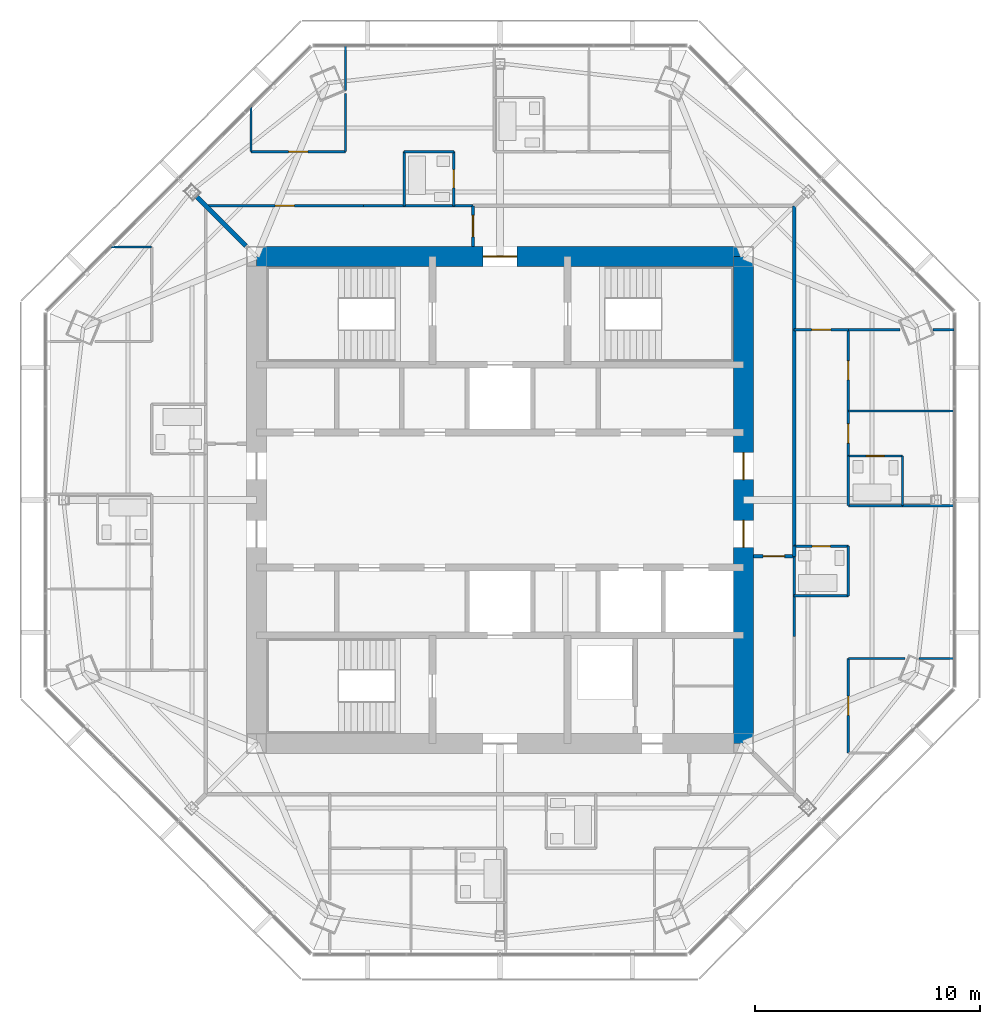
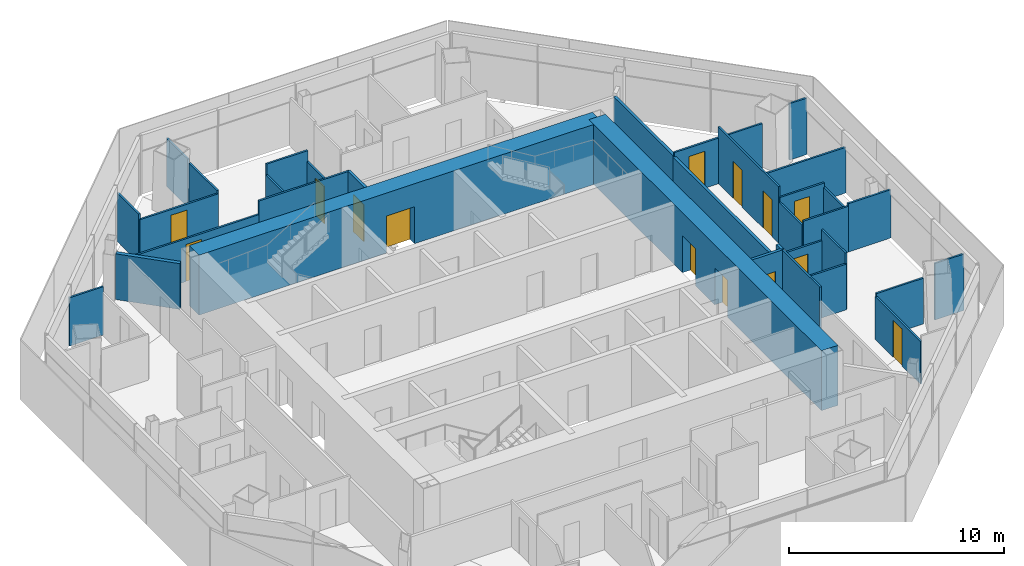
# One storey, part 12 of 15: 35 walls, 14 doors, 14 openings.
"""IFC4 building model written with IfcOpenShell, lengths in metres."""

from ifc_helpers import new_model, si_unit, direction, frame, frame_2d, origin, place, context, subcontext, project, spatial, rectangle, extrude, material, layer, layer_set, type_object, element, fill, save


model = new_model("IFC4")

# Units and contexts
model_context = context("Model", 3, precision=1e-05, world=origin(), true_north=direction((0.0, 1.0)))
body_context = subcontext(model_context, "Body", "Model", "MODEL_VIEW")
ifc_project = project(units=[si_unit("LENGTHUNIT", "METRE"), si_unit("AREAUNIT", "SQUARE_METRE"), si_unit("VOLUMEUNIT", "CUBIC_METRE"), si_unit("PLANEANGLEUNIT", "RADIAN"), si_unit("MASSUNIT", "GRAM", prefix="KILO")], contexts=[model_context])

# Site, building, storey
site_placement = place(None, origin())
site = spatial("IfcSite", under=ifc_project, at=site_placement, CompositionType="ELEMENT")
building_placement = place(site_placement, origin())
building = spatial("IfcBuilding", under=site, at=building_placement, Name="Mashrafa Tower", CompositionType="ELEMENT")
storey_placement = place(building_placement, frame((0.0, 0.0, 277.60009765625)))
storey = spatial("IfcBuildingStorey", under=building, at=storey_placement, Name="L67", CompositionType="ELEMENT", Elevation=277.60009765625)

# Wall
ifc_material_1 = material(Name="Gypsum board on steel studs", Category="steel")
ifc_layer_1 = layer(ifc_material_1, 0.199951171875)
ifc_layer_set_1 = layer_set([ifc_layer_1], Name="Acoustic partition 200 1 hr")
wall_type_1 = type_object("IfcWallType", Name="Acoustic partition 200 1 hr", PredefinedType="PARTITIONING", material=ifc_layer_set_1)
wall_1_placement = place(storey_placement, frame((-13.4501953125, 13.4501953125, 0.0), z_axis=(0.0, 0.0, 1.0), x_axis=(0.707106781187, -0.707106781187, 0.0)))
element("IfcWall", 1, at=wall_1_placement, inside=storey, type_object=wall_type_1, Name="Acoustic wall L67-069", PredefinedType="PARTITIONING", context=body_context, shape_type="SweptSolid", body=[
    extrude(rectangle(XDim=3.084716796875, YDim=0.199951171875, at=frame_2d((1.54248046875, 0.0))), origin(), (0.0, 0.0, 1.0), 2.590576171875),
])

# Wall, openings, doors
ifc_material_2 = material(Name="Concrete C50/60", Category="concrete")
ifc_layer_2 = layer(ifc_material_2, 0.89990234375)
ifc_layer_set_2 = layer_set([ifc_layer_2], Name="Core wall 900 C50/60")
wall_type_2 = type_object("IfcWallType", Name="Core wall 900 C50/60", PredefinedType="SOLIDWALL", material=ifc_layer_set_2)
wall_2_placement = place(storey_placement, frame((10.800048828125, -10.800048828125, 0.0), z_axis=(0.0, 0.0, 1.0), x_axis=(0.0, 1.0, 0.0)))
wall_2 = element("IfcWall", 2, at=wall_2_placement, inside=storey, type_object=wall_type_2, Name="Core wall CW-E L67", PredefinedType="SOLIDWALL", context=body_context, shape_type="SweptSolid", body=[
    extrude(rectangle(XDim=21.60009765625, YDim=0.89990234375, at=frame_2d((10.800048828125, 0.0))), origin(), (0.0, 0.0, 1.0), 3.39990234375),
])
opening_1_placement = place(wall_2_placement, frame((11.699951171875, 0.0, 0.0)))
opening_1 = element("IfcOpeningElement", 3, at=opening_1_placement, cuts=wall_2, Name="Opening 67.033", PredefinedType="OPENING", context=body_context, shape_type="SweptSolid", body=[
    extrude(rectangle(XDim=1.199951171875, YDim=2.10009765625, at=frame_2d((0.60009765625, 1.050048828125))), frame((0.0, 0.4599609375, 0.0), z_axis=(0.0, -1.0, 0.0), x_axis=(1.0, 0.0, 0.0)), (0.0, 0.0, 1.0), 0.919921875),
])
opening_2_placement = place(wall_2_placement, frame((8.699951171875, 0.0, 0.0)))
opening_2 = element("IfcOpeningElement", 4, at=opening_2_placement, cuts=wall_2, Name="Opening 67.035", PredefinedType="OPENING", context=body_context, shape_type="SweptSolid", body=[
    extrude(rectangle(XDim=1.199951171875, YDim=2.10009765625, at=frame_2d((0.60009765625, 1.050048828125))), frame((0.0, 0.4599609375, 0.0), z_axis=(0.0, -1.0, 0.0), x_axis=(1.0, 0.0, 0.0)), (0.0, 0.0, 1.0), 0.919921875),
])
ifc_material_3 = material(Name="Steel door", Category="steel")
door_type_1 = type_object("IfcDoorType", Name="Lift hall door 1200 x 2100 90 min", OperationType="USERDEFINED", PredefinedType="DOOR", material=ifc_material_3)
door_1_placement = place(opening_1_placement, frame((1.199951171875, 0.0, 0.0), z_axis=(0.0, 0.0, 1.0), x_axis=(-1.0, 0.0, 0.0)))
door_1 = element("IfcDoor", 5, at=door_1_placement, inside=storey, type_object=door_type_1, Name="Lift hall door east L67", OperationType="SINGLE_SWING_RIGHT", OverallHeight=2.10009765625, OverallWidth=1.199951171875, PredefinedType="DOOR", context=body_context, shape_type="SweptSolid", body=[
    extrude(rectangle(XDim=1.199951171875, YDim=2.10009765625, at=frame_2d((0.60009765625, 1.050048828125))), frame((0.0, 0.02490234375, 0.0), z_axis=(0.0, -1.0, 0.0), x_axis=(1.0, 0.0, 0.0)), (0.0, 0.0, 1.0), 0.050048828125),
])
fill(opening_1, door_1)
door_2_placement = place(opening_2_placement, origin())
door_2 = element("IfcDoor", 6, at=door_2_placement, inside=storey, type_object=door_type_1, Name="Lift hall door east L67", OperationType="SINGLE_SWING_LEFT", OverallHeight=2.10009765625, OverallWidth=1.199951171875, PredefinedType="DOOR", context=body_context, shape_type="SweptSolid", body=[
    extrude(rectangle(XDim=1.199951171875, YDim=2.10009765625, at=frame_2d((0.60009765625, 1.050048828125))), frame((0.0, 0.02490234375, 0.0), z_axis=(0.0, -1.0, 0.0), x_axis=(1.0, 0.0, 0.0)), (0.0, 0.0, 1.0), 0.050048828125),
])
fill(opening_2, door_2)

# Wall, opening, door
wall_3_placement = place(storey_placement, frame((10.800048828125, 10.800048828125, 0.0), z_axis=(0.0, 0.0, 1.0), x_axis=(-1.0, 0.0, 0.0)))
wall_3 = element("IfcWall", 7, at=wall_3_placement, inside=storey, type_object=wall_type_2, Name="Core wall CW-N L67", PredefinedType="SOLIDWALL", context=body_context, shape_type="SweptSolid", body=[
    extrude(rectangle(XDim=21.60009765625, YDim=0.89990234375, at=frame_2d((10.800048828125, 0.0))), origin(), (0.0, 0.0, 1.0), 3.39990234375),
])
opening_3_placement = place(wall_3_placement, frame((10.050048828125, 0.0, 0.0)))
opening_3 = element("IfcOpeningElement", 8, at=opening_3_placement, cuts=wall_3, Name="Opening 67.037", PredefinedType="OPENING", context=body_context, shape_type="SweptSolid", body=[
    extrude(rectangle(XDim=1.5, YDim=2.10009765625, at=frame_2d((0.75, 1.050048828125))), frame((0.0, 0.4599609375, 0.0), z_axis=(0.0, -1.0, 0.0), x_axis=(1.0, 0.0, 0.0)), (0.0, 0.0, 1.0), 0.919921875),
])
ifc_material_4 = material(Name="Steel door", Category="steel")
door_type_2 = type_object("IfcDoorType", Name="Lobby door pair 1500 x 2100 90 min", OperationType="DOUBLE_DOOR_SINGLE_SWING", PredefinedType="DOOR", material=ifc_material_4)
door_3_placement = place(opening_3_placement, origin())
door_3 = element("IfcDoor", 9, at=door_3_placement, inside=storey, type_object=door_type_2, Name="Fire-fighting lobby F1 door L67", OperationType="DOUBLE_DOOR_SINGLE_SWING", OverallHeight=2.10009765625, OverallWidth=1.5, PredefinedType="DOOR", context=body_context, shape_type="SweptSolid", body=[
    extrude(rectangle(XDim=1.5, YDim=2.10009765625, at=frame_2d((0.75, 1.050048828125))), frame((0.0, 0.02490234375, 0.0), z_axis=(0.0, -1.0, 0.0), x_axis=(1.0, 0.0, 0.0)), (0.0, 0.0, 1.0), 0.050048828125),
])
fill(opening_3, door_3)

# Walls
ifc_material_5 = material(Name="Gypsum board on steel studs", Category="steel")
ifc_layer_3 = layer(ifc_material_5, 0.14990234375)
ifc_layer_set_3 = layer_set([ifc_layer_3], Name="Corridor partition 150 1 hr")
wall_type_3 = type_object("IfcWallType", Name="Corridor partition 150 1 hr", PredefinedType="PARTITIONING", material=ifc_layer_set_3)
wall_4_placement = place(storey_placement, frame((13.050048828125, -2.5, 0.0), z_axis=(0.0, 0.0, 1.0), x_axis=(0.0, 1.0, 0.0)))
element("IfcWall", 10, at=wall_4_placement, inside=storey, type_object=wall_type_3, Name="Corridor wall L67-001", PredefinedType="PARTITIONING", context=body_context, shape_type="SweptSolid", body=[
    extrude(rectangle(XDim=0.450927734375, YDim=0.14990234375, at=frame_2d((0.2255859375, 0.0))), origin(), (0.0, 0.0, 1.0), 3.199951171875),
])
wall_5_placement = place(storey_placement, frame((13.050048828125, 7.549072265625, 0.0), z_axis=(0.0, 0.0, 1.0), x_axis=(0.0, 1.0, 0.0)))
element("IfcWall", 11, at=wall_5_placement, inside=storey, type_object=wall_type_3, Name="Corridor wall L67-002", PredefinedType="PARTITIONING", context=body_context, shape_type="SweptSolid", body=[
    extrude(rectangle(XDim=5.5009765625, YDim=0.14990234375, at=frame_2d((2.75048828125, 0.0))), origin(), (0.0, 0.0, 1.0), 2.427978515625),
])
wall_6_placement = place(storey_placement, frame((13.050048828125, -2.051025390625, 0.0), z_axis=(0.0, 0.0, 1.0), x_axis=(0.0, 1.0, 0.0)))
element("IfcWall", 12, at=wall_6_placement, inside=storey, type_object=wall_type_3, Name="Corridor wall L67-003", PredefinedType="PARTITIONING", context=body_context, shape_type="SweptSolid", body=[
    extrude(rectangle(XDim=9.60205078125, YDim=0.14990234375, at=frame_2d((4.801025390625, 0.0))), origin(), (0.0, 0.0, 1.0), 2.343994140625),
])

# Wall, opening, door
wall_7_placement = place(storey_placement, frame((11.25, -2.5, 0.0), z_axis=(0.0, 0.0, 1.0), x_axis=(1.0, 0.0, 0.0)))
wall_7 = element("IfcWall", 13, at=wall_7_placement, inside=storey, type_object=wall_type_3, Name="Corridor wall L67-006", PredefinedType="PARTITIONING", context=body_context, shape_type="SweptSolid", body=[
    extrude(rectangle(XDim=1.800048828125, YDim=0.14990234375, at=frame_2d((0.89990234375, 0.0))), origin(), (0.0, 0.0, 1.0), 3.199951171875),
])
opening_4_placement = place(wall_7_placement, frame((0.425048828125, 0.0, 0.0)))
opening_4 = element("IfcOpeningElement", 14, at=opening_4_placement, cuts=wall_7, Name="Opening 67.029", PredefinedType="OPENING", context=body_context, shape_type="SweptSolid", body=[
    extrude(rectangle(XDim=0.949951171875, YDim=2.10009765625, at=frame_2d((0.47509765625, 1.050048828125))), frame((0.0, 0.0849609375, 0.0), z_axis=(0.0, -1.0, 0.0), x_axis=(1.0, 0.0, 0.0)), (0.0, 0.0, 1.0), 0.169921875),
])
ifc_material_6 = material(Name="Steel door", Category="steel")
door_type_3 = type_object("IfcDoorType", Name="Residence entrance door 950 x 2100 20 min", OperationType="USERDEFINED", PredefinedType="DOOR", material=ifc_material_6)
door_4_placement = place(opening_4_placement, origin())
door_4 = element("IfcDoor", 15, at=door_4_placement, inside=storey, type_object=door_type_3, Name="Apartment 6701 Entrance Hall door", OperationType="SINGLE_SWING_RIGHT", OverallHeight=2.10009765625, OverallWidth=0.949951171875, PredefinedType="DOOR", context=body_context, shape_type="SweptSolid", body=[
    extrude(rectangle(XDim=0.949951171875, YDim=2.10009765625, at=frame_2d((0.47509765625, 1.050048828125))), frame((0.0, 0.02490234375, 0.0), z_axis=(0.0, -1.0, 0.0), x_axis=(1.0, 0.0, 0.0)), (0.0, 0.0, 1.0), 0.050048828125),
])
fill(opening_4, door_4)

wall_8_placement = place(storey_placement, frame((-1.199951171875, 13.050048828125, 0.0), z_axis=(0.0, 0.0, 1.0), x_axis=(0.0, -1.0, 0.0)))
wall_8 = element("IfcWall", 16, at=wall_8_placement, inside=storey, type_object=wall_type_3, Name="Corridor wall L67-007", PredefinedType="PARTITIONING", context=body_context, shape_type="SweptSolid", body=[
    extrude(rectangle(XDim=1.800048828125, YDim=0.14990234375, at=frame_2d((0.89990234375, 0.0))), origin(), (0.0, 0.0, 1.0), 3.199951171875),
])
opening_5_placement = place(wall_8_placement, frame((0.425048828125, 0.0, 0.0)))
opening_5 = element("IfcOpeningElement", 17, at=opening_5_placement, cuts=wall_8, Name="Opening 67.031", PredefinedType="OPENING", context=body_context, shape_type="SweptSolid", body=[
    extrude(rectangle(XDim=0.949951171875, YDim=2.10009765625, at=frame_2d((0.47509765625, 1.050048828125))), frame((0.0, 0.0849609375, 0.0), z_axis=(0.0, -1.0, 0.0), x_axis=(1.0, 0.0, 0.0)), (0.0, 0.0, 1.0), 0.169921875),
])
door_5_placement = place(opening_5_placement, origin())
door_5 = element("IfcDoor", 18, at=door_5_placement, inside=storey, type_object=door_type_3, Name="Apartment 6702 Entrance Hall door", OperationType="SINGLE_SWING_LEFT", OverallHeight=2.10009765625, OverallWidth=0.949951171875, PredefinedType="DOOR", context=body_context, shape_type="SweptSolid", body=[
    extrude(rectangle(XDim=0.949951171875, YDim=2.10009765625, at=frame_2d((0.47509765625, 1.050048828125))), frame((0.0, 0.02490234375, 0.0), z_axis=(0.0, -1.0, 0.0), x_axis=(1.0, 0.0, 0.0)), (0.0, 0.0, 1.0), 0.050048828125),
])
fill(opening_5, door_5)

# Walls
ifc_material_7 = material(Name="Gypsum board on steel studs", Category="steel")
ifc_layer_4 = layer(ifc_material_7, 0.10009765625)
ifc_layer_set_4 = layer_set([ifc_layer_4], Name="Partition 100")
wall_type_4 = type_object("IfcWallType", Name="Partition 100", PredefinedType="PARTITIONING", material=ifc_layer_set_4)
wall_9_placement = place(storey_placement, frame((20.143798828125, -7.026611328125, 0.0), z_axis=(0.0, 0.0, 1.0), x_axis=(-1.0, 0.0, 0.0)))
element("IfcWall", 19, at=wall_9_placement, inside=storey, type_object=wall_type_4, Name="Partition wall L67-018", PredefinedType="PARTITIONING", context=body_context, shape_type="SweptSolid", body=[
    extrude(rectangle(XDim=1.562255859375, YDim=0.10009765625, at=frame_2d((0.78125, 0.0))), origin(), (0.0, 0.0, 1.0), 3.199951171875),
])
wall_10_placement = place(storey_placement, frame((17.961181640625, -7.026611328125, 0.0), z_axis=(0.0, 0.0, 1.0), x_axis=(-1.0, 0.0, 0.0)))
element("IfcWall", 20, at=wall_10_placement, inside=storey, type_object=wall_type_4, Name="Partition wall L67-019", PredefinedType="PARTITIONING", context=body_context, shape_type="SweptSolid", body=[
    extrude(rectangle(XDim=2.51123046875, YDim=0.10009765625, at=frame_2d((1.255615234375, 0.0))), origin(), (0.0, 0.0, 1.0), 2.590576171875),
])

# Wall, opening, door
wall_11_placement = place(storey_placement, frame((15.449951171875, -7.026611328125, 0.0), z_axis=(0.0, 0.0, 1.0), x_axis=(0.0, -1.0, 0.0)))
wall_11 = element("IfcWall", 21, at=wall_11_placement, inside=storey, type_object=wall_type_4, Name="Partition wall L67-020", PredefinedType="PARTITIONING", context=body_context, shape_type="SweptSolid", body=[
    extrude(rectangle(XDim=4.2001953125, YDim=0.10009765625, at=frame_2d((2.10009765625, 0.0))), origin(), (0.0, 0.0, 1.0), 2.427978515625),
])
opening_6_placement = place(wall_11_placement, frame((1.675048828125, 0.0, 0.0)))
opening_6 = element("IfcOpeningElement", 22, at=opening_6_placement, cuts=wall_11, Name="Opening 67.001", PredefinedType="OPENING", context=body_context, shape_type="SweptSolid", body=[
    extrude(rectangle(XDim=0.85009765625, YDim=2.10009765625, at=frame_2d((0.425048828125, 1.050048828125))), frame((0.0, 0.06005859375, 0.0), z_axis=(0.0, -1.0, 0.0), x_axis=(1.0, 0.0, 0.0)), (0.0, 0.0, 1.0), 0.1201171875),
])
ifc_material_8 = material(Name="Timber door", Category="wood")
door_type_4 = type_object("IfcDoorType", Name="Bedroom door 850 x 2100", OperationType="USERDEFINED", PredefinedType="DOOR", material=ifc_material_8)
door_6_placement = place(opening_6_placement, origin())
door_6 = element("IfcDoor", 23, at=door_6_placement, inside=storey, type_object=door_type_4, Name="Apartment 6701 Dining Room door", OperationType="SINGLE_SWING_RIGHT", OverallHeight=2.10009765625, OverallWidth=0.85009765625, PredefinedType="DOOR", context=body_context, shape_type="SweptSolid", body=[
    extrude(rectangle(XDim=0.85009765625, YDim=2.10009765625, at=frame_2d((0.425048828125, 1.050048828125))), frame((0.0, 0.02490234375, 0.0), z_axis=(0.0, -1.0, 0.0), x_axis=(1.0, 0.0, 0.0)), (0.0, 0.0, 1.0), 0.050048828125),
])
fill(opening_6, door_6)

# Wall
wall_12_placement = place(storey_placement, frame((-11.050048828125, 17.439208984375, 0.0), z_axis=(0.0, 0.0, 1.0), x_axis=(0.0, -1.0, 0.0)))
element("IfcWall", 24, at=wall_12_placement, inside=storey, type_object=wall_type_4, Name="Partition wall L67-022", PredefinedType="PARTITIONING", context=body_context, shape_type="SweptSolid", body=[
    extrude(rectangle(XDim=1.9892578125, YDim=0.10009765625, at=frame_2d((0.99462890625, 0.0))), origin(), (0.0, 0.0, 1.0), 2.740234375),
])

# Wall, opening, door
wall_13_placement = place(storey_placement, frame((-11.050048828125, 15.449951171875, 0.0), z_axis=(0.0, 0.0, 1.0), x_axis=(1.0, 0.0, 0.0)))
wall_13 = element("IfcWall", 25, at=wall_13_placement, inside=storey, type_object=wall_type_4, Name="Partition wall L67-023", PredefinedType="PARTITIONING", context=body_context, shape_type="SweptSolid", body=[
    extrude(rectangle(XDim=4.199951171875, YDim=0.10009765625, at=frame_2d((2.10009765625, 0.0))), origin(), (0.0, 0.0, 1.0), 2.427978515625),
])
opening_7_placement = place(wall_13_placement, frame((1.675048828125, 0.0, 0.0)))
opening_7 = element("IfcOpeningElement", 26, at=opening_7_placement, cuts=wall_13, Name="Opening 67.002", PredefinedType="OPENING", context=body_context, shape_type="SweptSolid", body=[
    extrude(rectangle(XDim=0.85009765625, YDim=2.10009765625, at=frame_2d((0.425048828125, 1.050048828125))), frame((0.0, 0.06005859375, 0.0), z_axis=(0.0, -1.0, 0.0), x_axis=(1.0, 0.0, 0.0)), (0.0, 0.0, 1.0), 0.1201171875),
])
door_7_placement = place(opening_7_placement, origin())
door_7 = element("IfcDoor", 27, at=door_7_placement, inside=storey, type_object=door_type_4, Name="Apartment 6702 Dining Room door", OperationType="SINGLE_SWING_LEFT", OverallHeight=2.10009765625, OverallWidth=0.85009765625, PredefinedType="DOOR", context=body_context, shape_type="SweptSolid", body=[
    extrude(rectangle(XDim=0.85009765625, YDim=2.10009765625, at=frame_2d((0.425048828125, 1.050048828125))), frame((0.0, 0.02490234375, 0.0), z_axis=(0.0, -1.0, 0.0), x_axis=(1.0, 0.0, 0.0)), (0.0, 0.0, 1.0), 0.050048828125),
])
fill(opening_7, door_7)

# Walls
wall_14_placement = place(storey_placement, frame((-6.85009765625, 15.449951171875, 0.0), z_axis=(0.0, 0.0, 1.0), x_axis=(0.0, 1.0, 0.0)))
element("IfcWall", 28, at=wall_14_placement, inside=storey, type_object=wall_type_4, Name="Partition wall L67-024", PredefinedType="PARTITIONING", context=body_context, shape_type="SweptSolid", body=[
    extrude(rectangle(XDim=2.58447265625, YDim=0.10009765625, at=frame_2d((1.292236328125, 0.0))), origin(), (0.0, 0.0, 1.0), 2.590576171875),
])
wall_15_placement = place(storey_placement, frame((-6.85009765625, 18.15478515625, 0.0), z_axis=(0.0, 0.0, 1.0), x_axis=(0.0, 1.0, 0.0)))
element("IfcWall", 29, at=wall_15_placement, inside=storey, type_object=wall_type_4, Name="Partition wall L67-025", PredefinedType="PARTITIONING", context=body_context, shape_type="SweptSolid", body=[
    extrude(rectangle(XDim=1.989013671875, YDim=0.10009765625, at=frame_2d((0.99462890625, 0.0))), origin(), (0.0, 0.0, 1.0), 2.740234375),
])
wall_16_placement = place(storey_placement, frame((-15.449951171875, 11.226806640625, 0.0), z_axis=(0.0, 0.0, 1.0), x_axis=(-1.0, 0.0, 0.0)))
element("IfcWall", 30, at=wall_16_placement, inside=storey, type_object=wall_type_4, Name="Partition wall L67-029", PredefinedType="PARTITIONING", context=body_context, shape_type="SweptSolid", body=[
    extrude(rectangle(XDim=1.812744140625, YDim=0.10009765625, at=frame_2d((0.90625, 0.0))), origin(), (0.0, 0.0, 1.0), 2.740234375),
])
wall_17_placement = place(storey_placement, frame((15.449951171875, -4.25, 0.0), z_axis=(0.0, 0.0, 1.0), x_axis=(-1.0, 0.0, 0.0)))
element("IfcWall", 31, at=wall_17_placement, inside=storey, type_object=wall_type_4, Name="Partition wall L67-034", PredefinedType="PARTITIONING", context=body_context, shape_type="SweptSolid", body=[
    extrude(rectangle(XDim=2.39990234375, YDim=0.10009765625, at=frame_2d((1.199951171875, 0.0))), origin(), (0.0, 0.0, 1.0), 2.590576171875),
])
wall_18_placement = place(storey_placement, frame((13.050048828125, -6.050048828125, 0.0), z_axis=(0.0, 0.0, 1.0), x_axis=(0.0, 1.0, 0.0)))
element("IfcWall", 32, at=wall_18_placement, inside=storey, type_object=wall_type_4, Name="Partition wall L67-035", PredefinedType="PARTITIONING", context=body_context, shape_type="SweptSolid", body=[
    extrude(rectangle(XDim=3.551025390625, YDim=0.10009765625, at=frame_2d((1.775390625, 0.0))), origin(), (0.0, 0.0, 1.0), 3.199951171875),
])
wall_19_placement = place(storey_placement, frame((15.449951171875, -4.25, 0.0), z_axis=(0.0, 0.0, 1.0), x_axis=(0.0, 1.0, 0.0)))
element("IfcWall", 33, at=wall_19_placement, inside=storey, type_object=wall_type_4, Name="Partition wall L67-036", PredefinedType="PARTITIONING", context=body_context, shape_type="SweptSolid", body=[
    extrude(rectangle(XDim=2.199951171875, YDim=0.10009765625, at=frame_2d((1.10009765625, 0.0))), origin(), (0.0, 0.0, 1.0), 3.199951171875),
])

# Wall, opening, door
wall_20_placement = place(storey_placement, frame((15.449951171875, -2.050048828125, 0.0), z_axis=(0.0, 0.0, 1.0), x_axis=(-1.0, 0.0, 0.0)))
wall_20 = element("IfcWall", 34, at=wall_20_placement, inside=storey, type_object=wall_type_4, Name="Partition wall L67-037", PredefinedType="PARTITIONING", context=body_context, shape_type="SweptSolid", body=[
    extrude(rectangle(XDim=2.39990234375, YDim=0.10009765625, at=frame_2d((1.199951171875, 0.0))), origin(), (0.0, 0.0, 1.0), 2.590576171875),
])
opening_8_placement = place(wall_20_placement, frame((0.800048828125, 0.0, 0.0)))
opening_8 = element("IfcOpeningElement", 35, at=opening_8_placement, cuts=wall_20, Name="Opening 67.005", PredefinedType="OPENING", context=body_context, shape_type="SweptSolid", body=[
    extrude(rectangle(XDim=0.800048828125, YDim=2.10009765625, at=frame_2d((0.39990234375, 1.050048828125))), frame((0.0, 0.06005859375, 0.0), z_axis=(0.0, -1.0, 0.0), x_axis=(1.0, 0.0, 0.0)), (0.0, 0.0, 1.0), 0.1201171875),
])
ifc_material_9 = material(Name="Timber door", Category="wood")
door_type_5 = type_object("IfcDoorType", Name="Bathroom door 800 x 2100", OperationType="USERDEFINED", PredefinedType="DOOR", material=ifc_material_9)
door_8_placement = place(opening_8_placement, origin())
door_8 = element("IfcDoor", 36, at=door_8_placement, inside=storey, type_object=door_type_5, Name="Apartment 6701 Bathroom door", OperationType="SINGLE_SWING_RIGHT", OverallHeight=2.10009765625, OverallWidth=0.800048828125, PredefinedType="DOOR", context=body_context, shape_type="SweptSolid", body=[
    extrude(rectangle(XDim=0.800048828125, YDim=2.10009765625, at=frame_2d((0.39990234375, 1.050048828125))), frame((0.0, 0.02490234375, 0.0), z_axis=(0.0, -1.0, 0.0), x_axis=(1.0, 0.0, 0.0)), (0.0, 0.0, 1.0), 0.050048828125),
])
fill(opening_8, door_8)

# Wall
wall_21_placement = place(storey_placement, frame((17.85009765625, -0.25, 0.0), z_axis=(0.0, 0.0, 1.0), x_axis=(0.0, 1.0, 0.0)))
element("IfcWall", 37, at=wall_21_placement, inside=storey, type_object=wall_type_4, Name="Partition wall L67-039", PredefinedType="PARTITIONING", context=body_context, shape_type="SweptSolid", body=[
    extrude(rectangle(XDim=2.199951171875, YDim=0.10009765625, at=frame_2d((1.10009765625, 0.0))), origin(), (0.0, 0.0, 1.0), 2.343994140625),
])

# Wall, opening, door
wall_22_placement = place(storey_placement, frame((17.85009765625, 1.949951171875, 0.0), z_axis=(0.0, 0.0, 1.0), x_axis=(-1.0, 0.0, 0.0)))
wall_22 = element("IfcWall", 38, at=wall_22_placement, inside=storey, type_object=wall_type_4, Name="Partition wall L67-040", PredefinedType="PARTITIONING", context=body_context, shape_type="SweptSolid", body=[
    extrude(rectangle(XDim=2.400146484375, YDim=0.10009765625, at=frame_2d((1.2001953125, 0.0))), origin(), (0.0, 0.0, 1.0), 2.590576171875),
])
opening_9_placement = place(wall_22_placement, frame((0.800048828125, 0.0, 0.0)))
opening_9 = element("IfcOpeningElement", 39, at=opening_9_placement, cuts=wall_22, Name="Opening 67.006", PredefinedType="OPENING", context=body_context, shape_type="SweptSolid", body=[
    extrude(rectangle(XDim=0.800048828125, YDim=2.10009765625, at=frame_2d((0.39990234375, 1.050048828125))), frame((0.0, 0.06005859375, 0.0), z_axis=(0.0, -1.0, 0.0), x_axis=(1.0, 0.0, 0.0)), (0.0, 0.0, 1.0), 0.1201171875),
])
door_9_placement = place(opening_9_placement, origin())
door_9 = element("IfcDoor", 40, at=door_9_placement, inside=storey, type_object=door_type_5, Name="Apartment 6701 En-suite Bathroom door", OperationType="SINGLE_SWING_LEFT", OverallHeight=2.10009765625, OverallWidth=0.800048828125, PredefinedType="DOOR", context=body_context, shape_type="SweptSolid", body=[
    extrude(rectangle(XDim=0.800048828125, YDim=2.10009765625, at=frame_2d((0.39990234375, 1.050048828125))), frame((0.0, 0.02490234375, 0.0), z_axis=(0.0, -1.0, 0.0), x_axis=(1.0, 0.0, 0.0)), (0.0, 0.0, 1.0), 0.050048828125),
])
fill(opening_9, door_9)

# Walls
wall_23_placement = place(storey_placement, frame((15.449951171875, 1.949951171875, 0.0), z_axis=(0.0, 0.0, 1.0), x_axis=(0.0, -1.0, 0.0)))
element("IfcWall", 41, at=wall_23_placement, inside=storey, type_object=wall_type_4, Name="Partition wall L67-041", PredefinedType="PARTITIONING", context=body_context, shape_type="SweptSolid", body=[
    extrude(rectangle(XDim=2.199951171875, YDim=0.10009765625, at=frame_2d((1.10009765625, 0.0))), origin(), (0.0, 0.0, 1.0), 2.343994140625),
])
wall_24_placement = place(storey_placement, frame((15.449951171875, -0.25, 0.0), z_axis=(0.0, 0.0, 1.0), x_axis=(1.0, 0.0, 0.0)))
element("IfcWall", 42, at=wall_24_placement, inside=storey, type_object=wall_type_4, Name="Partition wall L67-042", PredefinedType="PARTITIONING", context=body_context, shape_type="SweptSolid", body=[
    extrude(rectangle(XDim=2.400146484375, YDim=0.10009765625, at=frame_2d((1.2001953125, 0.0))), origin(), (0.0, 0.0, 1.0), 2.590576171875),
])
wall_25_placement = place(storey_placement, frame((20.143798828125, 3.949951171875, 0.0), z_axis=(0.0, 0.0, 1.0), x_axis=(-1.0, 0.0, 0.0)))
element("IfcWall", 43, at=wall_25_placement, inside=storey, type_object=wall_type_4, Name="Partition wall L67-043", PredefinedType="PARTITIONING", context=body_context, shape_type="SweptSolid", body=[
    extrude(rectangle(XDim=4.69384765625, YDim=0.10009765625, at=frame_2d((2.346923828125, 0.0))), origin(), (0.0, 0.0, 1.0), 2.590576171875),
])

# Wall, openings, doors
wall_26_placement = place(storey_placement, frame((15.449951171875, 1.949951171875, 0.0), z_axis=(0.0, 0.0, 1.0), x_axis=(0.0, 1.0, 0.0)))
wall_26 = element("IfcWall", 44, at=wall_26_placement, inside=storey, type_object=wall_type_4, Name="Partition wall L67-044", PredefinedType="PARTITIONING", context=body_context, shape_type="SweptSolid", body=[
    extrude(rectangle(XDim=5.60009765625, YDim=0.10009765625, at=frame_2d((2.800048828125, 0.0))), origin(), (0.0, 0.0, 1.0), 3.199951171875),
])
opening_10_placement = place(wall_26_placement, frame((0.574951171875, 0.0, 0.0)))
opening_10 = element("IfcOpeningElement", 45, at=opening_10_placement, cuts=wall_26, Name="Opening 67.007", PredefinedType="OPENING", context=body_context, shape_type="SweptSolid", body=[
    extrude(rectangle(XDim=0.85009765625, YDim=2.10009765625, at=frame_2d((0.425048828125, 1.050048828125))), frame((0.0, 0.06005859375, 0.0), z_axis=(0.0, -1.0, 0.0), x_axis=(1.0, 0.0, 0.0)), (0.0, 0.0, 1.0), 0.1201171875),
])
opening_11_placement = place(wall_26_placement, frame((3.375, 0.0, 0.0)))
opening_11 = element("IfcOpeningElement", 46, at=opening_11_placement, cuts=wall_26, Name="Opening 67.008", PredefinedType="OPENING", context=body_context, shape_type="SweptSolid", body=[
    extrude(rectangle(XDim=0.85009765625, YDim=2.10009765625, at=frame_2d((0.425048828125, 1.050048828125))), frame((0.0, 0.06005859375, 0.0), z_axis=(0.0, -1.0, 0.0), x_axis=(1.0, 0.0, 0.0)), (0.0, 0.0, 1.0), 0.1201171875),
])
door_10_placement = place(opening_10_placement, frame((0.85009765625, 0.0, 0.0), z_axis=(0.0, 0.0, 1.0), x_axis=(-1.0, 0.0, 0.0)))
door_10 = element("IfcDoor", 47, at=door_10_placement, inside=storey, type_object=door_type_4, Name="Apartment 6701 Bedroom 1 door", OperationType="SINGLE_SWING_LEFT", OverallHeight=2.10009765625, OverallWidth=0.85009765625, PredefinedType="DOOR", context=body_context, shape_type="SweptSolid", body=[
    extrude(rectangle(XDim=0.85009765625, YDim=2.10009765625, at=frame_2d((0.425048828125, 1.050048828125))), frame((0.0, 0.02490234375, 0.0), z_axis=(0.0, -1.0, 0.0), x_axis=(1.0, 0.0, 0.0)), (0.0, 0.0, 1.0), 0.050048828125),
])
fill(opening_10, door_10)
door_11_placement = place(opening_11_placement, frame((0.85009765625, 0.0, 0.0), z_axis=(0.0, 0.0, 1.0), x_axis=(-1.0, 0.0, 0.0)))
door_11 = element("IfcDoor", 48, at=door_11_placement, inside=storey, type_object=door_type_4, Name="Apartment 6701 Bedroom 2 door", OperationType="SINGLE_SWING_RIGHT", OverallHeight=2.10009765625, OverallWidth=0.85009765625, PredefinedType="DOOR", context=body_context, shape_type="SweptSolid", body=[
    extrude(rectangle(XDim=0.85009765625, YDim=2.10009765625, at=frame_2d((0.425048828125, 1.050048828125))), frame((0.0, 0.02490234375, 0.0), z_axis=(0.0, -1.0, 0.0), x_axis=(1.0, 0.0, 0.0)), (0.0, 0.0, 1.0), 0.050048828125),
])
fill(opening_11, door_11)

# Walls
wall_27_placement = place(storey_placement, frame((17.85009765625, -0.25, 0.0), z_axis=(0.0, 0.0, 1.0), x_axis=(1.0, 0.0, 0.0)))
element("IfcWall", 49, at=wall_27_placement, inside=storey, type_object=wall_type_4, Name="Partition wall L67-045", PredefinedType="PARTITIONING", context=body_context, shape_type="SweptSolid", body=[
    extrude(rectangle(XDim=2.293701171875, YDim=0.10009765625, at=frame_2d((1.14697265625, 0.0))), origin(), (0.0, 0.0, 1.0), 2.740234375),
])
wall_28_placement = place(storey_placement, frame((20.143798828125, 7.550048828125, 0.0), z_axis=(0.0, 0.0, 1.0), x_axis=(-1.0, 0.0, 0.0)))
element("IfcWall", 50, at=wall_28_placement, inside=storey, type_object=wall_type_4, Name="Partition wall L67-046", PredefinedType="PARTITIONING", context=body_context, shape_type="SweptSolid", body=[
    extrude(rectangle(XDim=0.94580078125, YDim=0.10009765625, at=frame_2d((0.472900390625, 0.0))), origin(), (0.0, 0.0, 1.0), 3.199951171875),
])
wall_29_placement = place(storey_placement, frame((17.74462890625, 7.550048828125, 0.0), z_axis=(0.0, 0.0, 1.0), x_axis=(-1.0, 0.0, 0.0)))
element("IfcWall", 51, at=wall_29_placement, inside=storey, type_object=wall_type_4, Name="Partition wall L67-047", PredefinedType="PARTITIONING", context=body_context, shape_type="SweptSolid", body=[
    extrude(rectangle(XDim=2.294677734375, YDim=0.10009765625, at=frame_2d((1.1474609375, 0.0))), origin(), (0.0, 0.0, 1.0), 2.590576171875),
])

# Wall, opening, door
wall_30_placement = place(storey_placement, frame((13.050048828125, 7.550048828125, 0.0), z_axis=(0.0, 0.0, 1.0), x_axis=(1.0, 0.0, 0.0)))
wall_30 = element("IfcWall", 52, at=wall_30_placement, inside=storey, type_object=wall_type_4, Name="Partition wall L67-049", PredefinedType="PARTITIONING", context=body_context, shape_type="SweptSolid", body=[
    extrude(rectangle(XDim=2.40087890625, YDim=0.10009765625, at=frame_2d((1.200439453125, 0.0))), origin(), (0.0, 0.0, 1.0), 2.590576171875),
])
opening_12_placement = place(wall_30_placement, frame((0.775390625, 0.0, 0.0)))
opening_12 = element("IfcOpeningElement", 53, at=opening_12_placement, cuts=wall_30, Name="Opening 67.009", PredefinedType="OPENING", context=body_context, shape_type="SweptSolid", body=[
    extrude(rectangle(XDim=0.85009765625, YDim=2.10009765625, at=frame_2d((0.425048828125, 1.050048828125))), frame((0.0, 0.06005859375, 0.0), z_axis=(0.0, -1.0, 0.0), x_axis=(1.0, 0.0, 0.0)), (0.0, 0.0, 1.0), 0.1201171875),
])
door_12_placement = place(opening_12_placement, origin())
door_12 = element("IfcDoor", 54, at=door_12_placement, inside=storey, type_object=door_type_4, Name="Apartment 6701 Bedroom 3 door", OperationType="SINGLE_SWING_LEFT", OverallHeight=2.10009765625, OverallWidth=0.85009765625, PredefinedType="DOOR", context=body_context, shape_type="SweptSolid", body=[
    extrude(rectangle(XDim=0.85009765625, YDim=2.10009765625, at=frame_2d((0.425048828125, 1.050048828125))), frame((0.0, 0.02490234375, 0.0), z_axis=(0.0, -1.0, 0.0), x_axis=(1.0, 0.0, 0.0)), (0.0, 0.0, 1.0), 0.050048828125),
])
fill(opening_12, door_12)

# Walls
wall_31_placement = place(storey_placement, frame((-4.25, 13.050048828125, 0.0), z_axis=(0.0, 0.0, 1.0), x_axis=(0.0, 1.0, 0.0)))
element("IfcWall", 55, at=wall_31_placement, inside=storey, type_object=wall_type_4, Name="Partition wall L67-053", PredefinedType="PARTITIONING", context=body_context, shape_type="SweptSolid", body=[
    extrude(rectangle(XDim=2.39990234375, YDim=0.10009765625, at=frame_2d((1.199951171875, 0.0))), origin(), (0.0, 0.0, 1.0), 2.590576171875),
])
wall_32_placement = place(storey_placement, frame((-6.050048828125, 13.050048828125, 0.0), z_axis=(0.0, 0.0, 1.0), x_axis=(1.0, 0.0, 0.0)))
element("IfcWall", 56, at=wall_32_placement, inside=storey, type_object=wall_type_4, Name="Partition wall L67-054", PredefinedType="PARTITIONING", context=body_context, shape_type="SweptSolid", body=[
    extrude(rectangle(XDim=4.85107421875, YDim=0.10009765625, at=frame_2d((2.425537109375, 0.0))), origin(), (0.0, 0.0, 1.0), 3.199951171875),
])

# Wall, opening, door
wall_33_placement = place(storey_placement, frame((-2.050048828125, 13.050048828125, 0.0), z_axis=(0.0, 0.0, 1.0), x_axis=(0.0, 1.0, 0.0)))
wall_33 = element("IfcWall", 57, at=wall_33_placement, inside=storey, type_object=wall_type_4, Name="Partition wall L67-055", PredefinedType="PARTITIONING", context=body_context, shape_type="SweptSolid", body=[
    extrude(rectangle(XDim=2.39990234375, YDim=0.10009765625, at=frame_2d((1.199951171875, 0.0))), origin(), (0.0, 0.0, 1.0), 2.590576171875),
])
opening_13_placement = place(wall_33_placement, frame((0.800048828125, 0.0, 0.0)))
opening_13 = element("IfcOpeningElement", 58, at=opening_13_placement, cuts=wall_33, Name="Opening 67.011", PredefinedType="OPENING", context=body_context, shape_type="SweptSolid", body=[
    extrude(rectangle(XDim=0.800048828125, YDim=2.10009765625, at=frame_2d((0.39990234375, 1.050048828125))), frame((0.0, 0.06005859375, 0.0), z_axis=(0.0, -1.0, 0.0), x_axis=(1.0, 0.0, 0.0)), (0.0, 0.0, 1.0), 0.1201171875),
])
door_13_placement = place(opening_13_placement, origin())
door_13 = element("IfcDoor", 59, at=door_13_placement, inside=storey, type_object=door_type_5, Name="Apartment 6702 Bathroom door", OperationType="SINGLE_SWING_RIGHT", OverallHeight=2.10009765625, OverallWidth=0.800048828125, PredefinedType="DOOR", context=body_context, shape_type="SweptSolid", body=[
    extrude(rectangle(XDim=0.800048828125, YDim=2.10009765625, at=frame_2d((0.39990234375, 1.050048828125))), frame((0.0, 0.02490234375, 0.0), z_axis=(0.0, -1.0, 0.0), x_axis=(1.0, 0.0, 0.0)), (0.0, 0.0, 1.0), 0.050048828125),
])
fill(opening_13, door_13)

# Wall
wall_34_placement = place(storey_placement, frame((-2.050048828125, 15.449951171875, 0.0), z_axis=(0.0, 0.0, 1.0), x_axis=(-1.0, 0.0, 0.0)))
element("IfcWall", 60, at=wall_34_placement, inside=storey, type_object=wall_type_4, Name="Partition wall L67-056", PredefinedType="PARTITIONING", context=body_context, shape_type="SweptSolid", body=[
    extrude(rectangle(XDim=2.199951171875, YDim=0.10009765625, at=frame_2d((1.10009765625, 0.0))), origin(), (0.0, 0.0, 1.0), 3.199951171875),
])

# Wall, opening, door
wall_35_placement = place(storey_placement, frame((-13.050048828125, 13.050048828125, 0.0), z_axis=(0.0, 0.0, 1.0), x_axis=(1.0, 0.0, 0.0)))
wall_35 = element("IfcWall", 61, at=wall_35_placement, inside=storey, type_object=wall_type_4, Name="Partition wall L67-070", PredefinedType="PARTITIONING", context=body_context, shape_type="SweptSolid", body=[
    extrude(rectangle(XDim=7.0, YDim=0.10009765625, at=frame_2d((3.5, 0.0))), origin(), (0.0, 0.0, 1.0), 2.427978515625),
])
opening_14_placement = place(wall_35_placement, frame((3.074951171875, 0.0, 0.0)))
opening_14 = element("IfcOpeningElement", 62, at=opening_14_placement, cuts=wall_35, Name="Opening 67.016", PredefinedType="OPENING", context=body_context, shape_type="SweptSolid", body=[
    extrude(rectangle(XDim=0.85009765625, YDim=2.10009765625, at=frame_2d((0.425048828125, 1.050048828125))), frame((0.0, 0.06005859375, 0.0), z_axis=(0.0, -1.0, 0.0), x_axis=(1.0, 0.0, 0.0)), (0.0, 0.0, 1.0), 0.1201171875),
])
door_14_placement = place(opening_14_placement, origin())
door_14 = element("IfcDoor", 63, at=door_14_placement, inside=storey, type_object=door_type_4, Name="Apartment 6702 Living Room door", OperationType="SINGLE_SWING_LEFT", OverallHeight=2.10009765625, OverallWidth=0.85009765625, PredefinedType="DOOR", context=body_context, shape_type="SweptSolid", body=[
    extrude(rectangle(XDim=0.85009765625, YDim=2.10009765625, at=frame_2d((0.425048828125, 1.050048828125))), frame((0.0, 0.02490234375, 0.0), z_axis=(0.0, -1.0, 0.0), x_axis=(1.0, 0.0, 0.0)), (0.0, 0.0, 1.0), 0.050048828125),
])
fill(opening_14, door_14)

save(model, "model.ifc")
